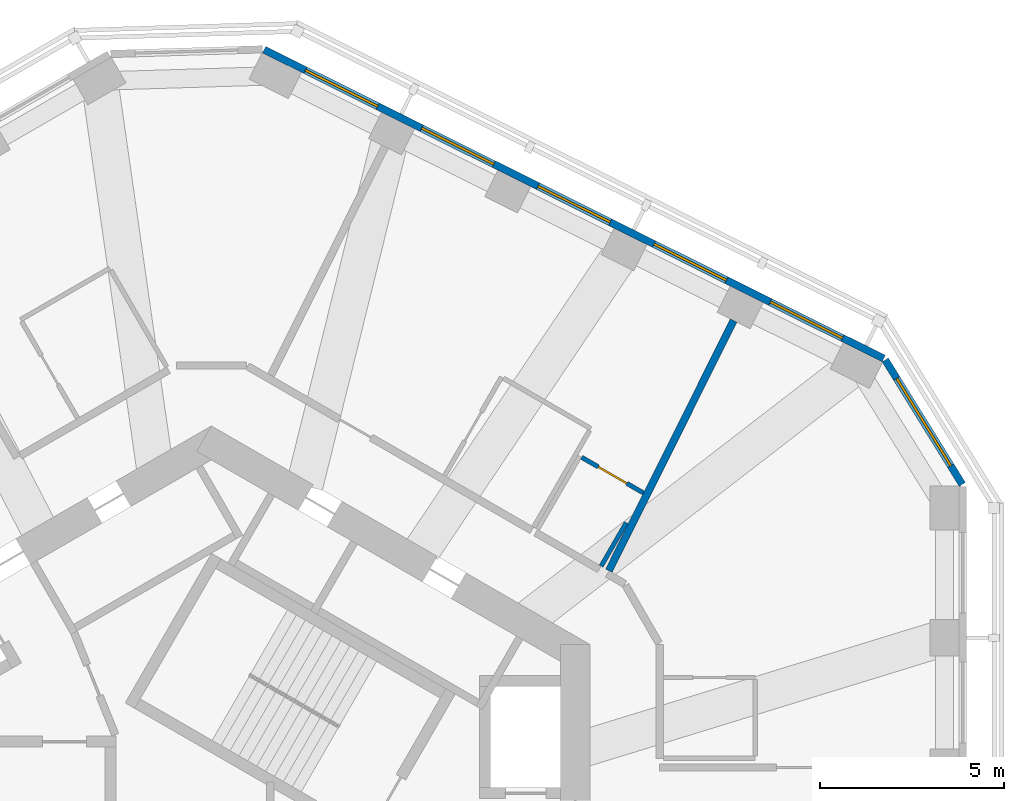
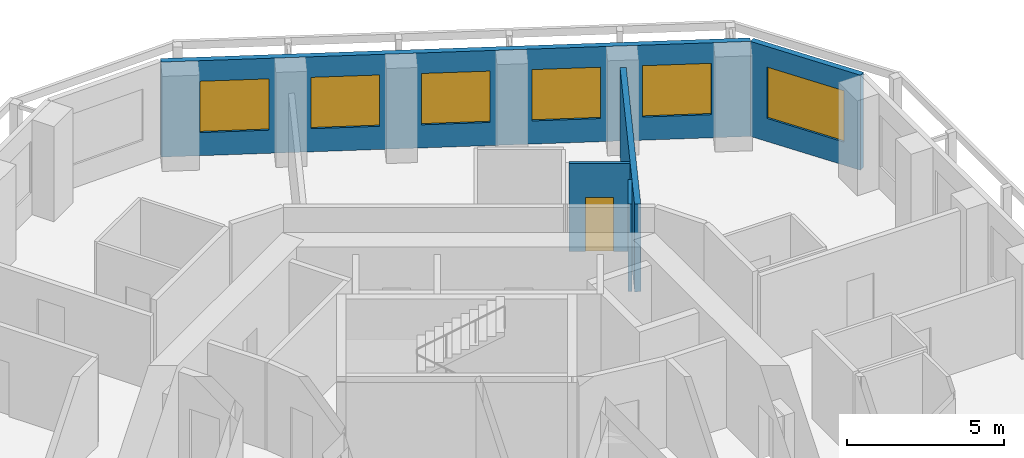
# One storey, part 8 of 11: 6 windows, 5 walls, 1 door, 7 openings.
"""IFC4 building model written with IfcOpenShell, lengths in metres."""

from ifc_helpers import new_model, si_unit, direction, frame, frame_2d, origin, place, context, subcontext, project, spatial, rectangle, extrude, material, layer, layer_set, type_object, element, fill, save


model = new_model("IFC4")

# Units and contexts
model_context = context("Model", 3, precision=1e-05, world=origin(), true_north=direction((0.0, 1.0)))
body_context = subcontext(model_context, "Body", "Model", "MODEL_VIEW")
ifc_project = project(units=[si_unit("LENGTHUNIT", "METRE"), si_unit("AREAUNIT", "SQUARE_METRE"), si_unit("VOLUMEUNIT", "CUBIC_METRE"), si_unit("PLANEANGLEUNIT", "RADIAN"), si_unit("MASSUNIT", "GRAM", prefix="KILO")], contexts=[model_context])

# Site, building, storey
site_placement = place(None, origin())
site = spatial("IfcSite", under=ifc_project, at=site_placement, CompositionType="ELEMENT")
building_placement = place(site_placement, origin())
building = spatial("IfcBuilding", under=site, at=building_placement, Name="Vanh Sen Convention Tower", CompositionType="ELEMENT")
storey_placement = place(building_placement, frame((0.0, 0.0, 225.39990234375)))
storey = spatial("IfcBuildingStorey", under=building, at=storey_placement, Name="L55", CompositionType="ELEMENT", Elevation=225.39990234375)

# Wall, opening, door
ifc_material_1 = material(Name="Moisture-resistant gypsum board on steel studs", Category="steel")
ifc_layer_1 = layer(ifc_material_1, 0.1201171875)
ifc_layer_set_1 = layer_set([ifc_layer_1], Name="Moisture-resistant gypsum board on steel studs")
wall_type_1 = type_object("IfcWallType", Name="Bathroom partition 120", PredefinedType="PARTITIONING", material=ifc_layer_set_1)
wall_1_placement = place(storey_placement, frame((10.077392578125, 11.040283203125, 0.0), z_axis=(0.0, 0.0, 1.0), x_axis=(0.866043088465, -0.499969367985, 0.0)))
wall_1 = element("IfcWall", 1, at=wall_1_placement, inside=storey, type_object=wall_type_1, Name="Bathroom partition 120", PredefinedType="PARTITIONING", context=body_context, shape_type="SweptSolid", body=[
    extrude(rectangle(XDim=1.93994140625, YDim=0.1201171875, at=frame_2d((0.969970703125, 0.0))), origin(), (0.0, 0.0, 1.0), 3.420166015625),
])
opening_1_placement = place(wall_1_placement, frame((0.52001953125, 0.0, 0.0)))
opening_1 = element("IfcOpeningElement", 2, at=opening_1_placement, cuts=wall_1, Name="Opening D52104", PredefinedType="OPENING", context=body_context, shape_type="SweptSolid", body=[
    extrude(rectangle(XDim=0.89990234375, YDim=2.10009765625, at=frame_2d((0.449951171875, 1.050048828125))), frame((0.0, 0.070068359375, 0.0), z_axis=(0.0, -1.0, 0.0), x_axis=(1.0, 0.0, 0.0)), (0.0, 0.0, 1.0), 0.14013671875),
])
ifc_material_2 = material(Name="Laminate door in steel frame", Category="steel")
door_type = type_object("IfcDoorType", Name="Room internal door 900", OperationType="SINGLE_SWING_LEFT", PredefinedType="DOOR", material=ifc_material_2)
door_placement = place(opening_1_placement, origin())
door = element("IfcDoor", 3, at=door_placement, inside=storey, type_object=door_type, Name="Internal room door D52104", OperationType="SINGLE_SWING_LEFT", OverallHeight=2.10009765625, OverallWidth=0.89990234375, PredefinedType="DOOR", context=body_context, shape_type="SweptSolid", body=[
    extrude(rectangle(XDim=0.89990234375, YDim=2.10009765625, at=frame_2d((0.449951171875, 1.050048828125))), frame((0.0, 0.02490234375, 0.0), z_axis=(0.0, -1.0, 0.0), x_axis=(1.0, 0.0, 0.0)), (0.0, 0.0, 1.0), 0.050048828125),
])
fill(opening_1, door)

# Wall
wall_2_placement = place(storey_placement, frame((11.291259765625, 9.262939453125, 0.0), z_axis=(0.0, 0.0, 1.0), x_axis=(-0.500036664704, -0.866004234373, 0.0)))
element("IfcWall", 4, at=wall_2_placement, inside=storey, type_object=wall_type_1, Name="Bathroom partition 120", PredefinedType="PARTITIONING", context=body_context, shape_type="SweptSolid", body=[
    extrude(rectangle(XDim=1.36767578125, YDim=0.1201171875, at=frame_2d((0.683837890625, 0.0))), origin(), (0.0, 0.0, 1.0), 3.420166015625),
])

# Wall, opening, window
ifc_material_3 = material(Name="Insulated lightweight infill wall")
ifc_layer_2 = layer(ifc_material_3, 0.199951171875)
ifc_layer_set_2 = layer_set([ifc_layer_2], Name="Insulated lightweight infill wall")
wall_type_2 = type_object("IfcWallType", Name="External wall 200", PredefinedType="STANDARD", material=ifc_layer_set_2)
wall_3_placement = place(storey_placement, frame((20.43505859375, 10.3037109375, 0.0), z_axis=(0.0, 0.0, 1.0), x_axis=(-0.526202661606, 0.850359194058, 0.0)))
wall_3 = element("IfcWall", 5, at=wall_3_placement, inside=storey, type_object=wall_type_2, Name="External wall CH1 L55", PredefinedType="STANDARD", context=body_context, shape_type="SweptSolid", body=[
    extrude(rectangle(XDim=3.982666015625, YDim=0.199951171875, at=frame_2d((1.9912109375, 0.0))), origin(), (0.0, 0.0, 1.0), 3.7001953125),
])
opening_2_placement = place(wall_3_placement, frame((0.59130859375, 0.0, 0.89990234375)))
opening_2 = element("IfcOpeningElement", 6, at=opening_2_placement, cuts=wall_3, Name="Opening WO4-CH11", PredefinedType="OPENING", context=body_context, shape_type="SweptSolid", body=[
    extrude(rectangle(XDim=2.800048828125, YDim=2.0, at=frame_2d((1.39990234375, 1.0))), frame((0.0, 0.10986328125, 0.0), z_axis=(0.0, -1.0, 0.0), x_axis=(1.0, 0.0, 0.0)), (0.0, 0.0, 1.0), 0.219970703125),
])
ifc_material_4 = material(Name="Aluminium frame with clear low-emissivity glass", Category="aluminium")
window_type_1 = type_object("IfcWindowType", Name="Office window 2800 x 2000", PartitioningType="SINGLE_PANEL", PredefinedType="WINDOW", material=ifc_material_4)
window_1_placement = place(opening_2_placement, origin())
window_1 = element("IfcWindow", 7, at=window_1_placement, inside=storey, type_object=window_type_1, Name="Window WO4-CH11", OverallHeight=2.0, OverallWidth=2.800048828125, PartitioningType="SINGLE_PANEL", PredefinedType="WINDOW", context=body_context, shape_type="SweptSolid", body=[
    extrude(rectangle(XDim=2.800048828125, YDim=2.0, at=frame_2d((1.39990234375, 1.0))), frame((0.0, 0.030029296875, 0.0), z_axis=(0.0, -1.0, 0.0), x_axis=(1.0, 0.0, 0.0)), (0.0, 0.0, 1.0), 0.06005859375),
])
fill(opening_2, window_1)

# Wall, openings, windows
wall_4_placement = place(storey_placement, frame((18.298828125, 13.727294921875, 0.0), z_axis=(0.0, 0.0, 1.0), x_axis=(-0.894934554817, 0.44619742558, 0.0)))
wall_4 = element("IfcWall", 8, at=wall_4_placement, inside=storey, type_object=wall_type_2, Name="External wall NE L55", PredefinedType="STANDARD", context=body_context, shape_type="SweptSolid", body=[
    extrude(rectangle(XDim=18.84130859375, YDim=0.199951171875, at=frame_2d((9.420654296875, 0.0))), origin(), (0.0, 0.0, 1.0), 3.7001953125),
])
opening_3_placement = place(wall_4_placement, frame((1.252685546875, 0.0, 0.89990234375)))
opening_3 = element("IfcOpeningElement", 9, at=opening_3_placement, cuts=wall_4, Name="Opening WO3-NE1", PredefinedType="OPENING", context=body_context, shape_type="SweptSolid", body=[
    extrude(rectangle(XDim=2.199951171875, YDim=2.0, at=frame_2d((1.10009765625, 1.0))), frame((0.0, 0.10986328125, 0.0), z_axis=(0.0, -1.0, 0.0), x_axis=(1.0, 0.0, 0.0)), (0.0, 0.0, 1.0), 0.219970703125),
])
opening_4_placement = place(wall_4_placement, frame((4.7861328125, 0.0, 0.89990234375)))
opening_4 = element("IfcOpeningElement", 10, at=opening_4_placement, cuts=wall_4, Name="Opening WO3-NE2", PredefinedType="OPENING", context=body_context, shape_type="SweptSolid", body=[
    extrude(rectangle(XDim=2.199951171875, YDim=2.0, at=frame_2d((1.10009765625, 1.0))), frame((0.0, 0.10986328125, 0.0), z_axis=(0.0, -1.0, 0.0), x_axis=(1.0, 0.0, 0.0)), (0.0, 0.0, 1.0), 0.219970703125),
])
opening_5_placement = place(wall_4_placement, frame((8.31982421875, 0.0, 0.89990234375)))
opening_5 = element("IfcOpeningElement", 11, at=opening_5_placement, cuts=wall_4, Name="Opening WO3-NE3", PredefinedType="OPENING", context=body_context, shape_type="SweptSolid", body=[
    extrude(rectangle(XDim=2.199951171875, YDim=2.0, at=frame_2d((1.10009765625, 1.0))), frame((0.0, 0.10986328125, 0.0), z_axis=(0.0, -1.0, 0.0), x_axis=(1.0, 0.0, 0.0)), (0.0, 0.0, 1.0), 0.219970703125),
])
opening_6_placement = place(wall_4_placement, frame((11.853515625, 0.0, 0.89990234375)))
opening_6 = element("IfcOpeningElement", 12, at=opening_6_placement, cuts=wall_4, Name="Opening WO3-NE4", PredefinedType="OPENING", context=body_context, shape_type="SweptSolid", body=[
    extrude(rectangle(XDim=2.199951171875, YDim=2.0, at=frame_2d((1.10009765625, 1.0))), frame((0.0, 0.10986328125, 0.0), z_axis=(0.0, -1.0, 0.0), x_axis=(1.0, 0.0, 0.0)), (0.0, 0.0, 1.0), 0.219970703125),
])
opening_7_placement = place(wall_4_placement, frame((15.38720703125, 0.0, 0.89990234375)))
opening_7 = element("IfcOpeningElement", 13, at=opening_7_placement, cuts=wall_4, Name="Opening WO3-NE5", PredefinedType="OPENING", context=body_context, shape_type="SweptSolid", body=[
    extrude(rectangle(XDim=2.199951171875, YDim=2.0, at=frame_2d((1.10009765625, 1.0))), frame((0.0, 0.10986328125, 0.0), z_axis=(0.0, -1.0, 0.0), x_axis=(1.0, 0.0, 0.0)), (0.0, 0.0, 1.0), 0.219970703125),
])
window_type_2 = type_object("IfcWindowType", Name="Office window 2200 x 2000", PartitioningType="SINGLE_PANEL", PredefinedType="WINDOW", material=ifc_material_4)
window_2_placement = place(opening_3_placement, origin())
window_2 = element("IfcWindow", 14, at=window_2_placement, inside=storey, type_object=window_type_2, Name="Window WO3-NE1", OverallHeight=2.0, OverallWidth=2.199951171875, PartitioningType="SINGLE_PANEL", PredefinedType="WINDOW", context=body_context, shape_type="SweptSolid", body=[
    extrude(rectangle(XDim=2.199951171875, YDim=2.0, at=frame_2d((1.10009765625, 1.0))), frame((0.0, 0.030029296875, 0.0), z_axis=(0.0, -1.0, 0.0), x_axis=(1.0, 0.0, 0.0)), (0.0, 0.0, 1.0), 0.06005859375),
])
fill(opening_3, window_2)
window_3_placement = place(opening_4_placement, origin())
window_3 = element("IfcWindow", 15, at=window_3_placement, inside=storey, type_object=window_type_2, Name="Window WO3-NE2", OverallHeight=2.0, OverallWidth=2.199951171875, PartitioningType="SINGLE_PANEL", PredefinedType="WINDOW", context=body_context, shape_type="SweptSolid", body=[
    extrude(rectangle(XDim=2.199951171875, YDim=2.0, at=frame_2d((1.10009765625, 1.0))), frame((0.0, 0.030029296875, 0.0), z_axis=(0.0, -1.0, 0.0), x_axis=(1.0, 0.0, 0.0)), (0.0, 0.0, 1.0), 0.06005859375),
])
fill(opening_4, window_3)
window_4_placement = place(opening_5_placement, origin())
window_4 = element("IfcWindow", 16, at=window_4_placement, inside=storey, type_object=window_type_2, Name="Window WO3-NE3", OverallHeight=2.0, OverallWidth=2.199951171875, PartitioningType="SINGLE_PANEL", PredefinedType="WINDOW", context=body_context, shape_type="SweptSolid", body=[
    extrude(rectangle(XDim=2.199951171875, YDim=2.0, at=frame_2d((1.10009765625, 1.0))), frame((0.0, 0.030029296875, 0.0), z_axis=(0.0, -1.0, 0.0), x_axis=(1.0, 0.0, 0.0)), (0.0, 0.0, 1.0), 0.06005859375),
])
fill(opening_5, window_4)
window_5_placement = place(opening_6_placement, origin())
window_5 = element("IfcWindow", 17, at=window_5_placement, inside=storey, type_object=window_type_2, Name="Window WO3-NE4", OverallHeight=2.0, OverallWidth=2.199951171875, PartitioningType="SINGLE_PANEL", PredefinedType="WINDOW", context=body_context, shape_type="SweptSolid", body=[
    extrude(rectangle(XDim=2.199951171875, YDim=2.0, at=frame_2d((1.10009765625, 1.0))), frame((0.0, 0.030029296875, 0.0), z_axis=(0.0, -1.0, 0.0), x_axis=(1.0, 0.0, 0.0)), (0.0, 0.0, 1.0), 0.06005859375),
])
fill(opening_6, window_5)
window_6_placement = place(opening_7_placement, origin())
window_6 = element("IfcWindow", 18, at=window_6_placement, inside=storey, type_object=window_type_2, Name="Window WO3-NE5", OverallHeight=2.0, OverallWidth=2.199951171875, PartitioningType="SINGLE_PANEL", PredefinedType="WINDOW", context=body_context, shape_type="SweptSolid", body=[
    extrude(rectangle(XDim=2.199951171875, YDim=2.0, at=frame_2d((1.10009765625, 1.0))), frame((0.0, 0.030029296875, 0.0), z_axis=(0.0, -1.0, 0.0), x_axis=(1.0, 0.0, 0.0)), (0.0, 0.0, 1.0), 0.06005859375),
])
fill(opening_7, window_6)

# Wall
ifc_material_5 = material(Name="Gypsum board on steel studs with mineral wool", Category="steel")
ifc_layer_3 = layer(ifc_material_5, 0.199951171875)
ifc_layer_set_3 = layer_set([ifc_layer_3], Name="Gypsum board on steel studs with mineral wool")
wall_type_3 = type_object("IfcWallType", Name="Tenant suite wall 200", PredefinedType="PARTITIONING", material=ifc_layer_set_3)
wall_5_placement = place(storey_placement, frame((14.210693359375, 14.760009765625, 0.0), z_axis=(0.0, 0.0, 1.0), x_axis=(-0.446198490295, -0.89493402397, 0.0)))
element("IfcWall", 19, at=wall_5_placement, inside=storey, type_object=wall_type_3, Name="Tenant suite wall 200", PredefinedType="PARTITIONING", context=body_context, shape_type="SweptSolid", body=[
    extrude(rectangle(XDim=7.602294921875, YDim=0.199951171875, at=frame_2d((3.80126953125, 0.0))), origin(), (0.0, 0.0, 1.0), 3.420166015625),
])

save(model, "model.ifc")
